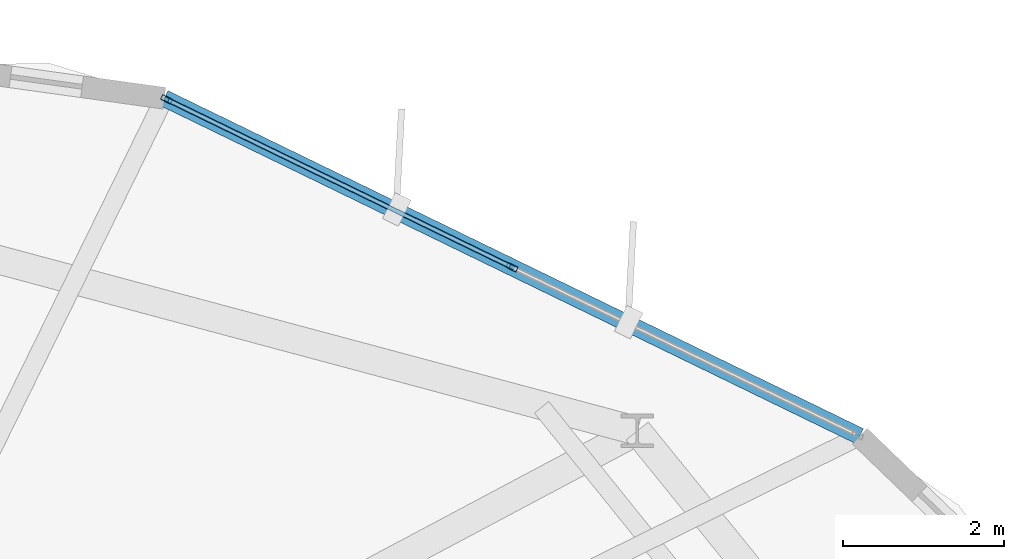
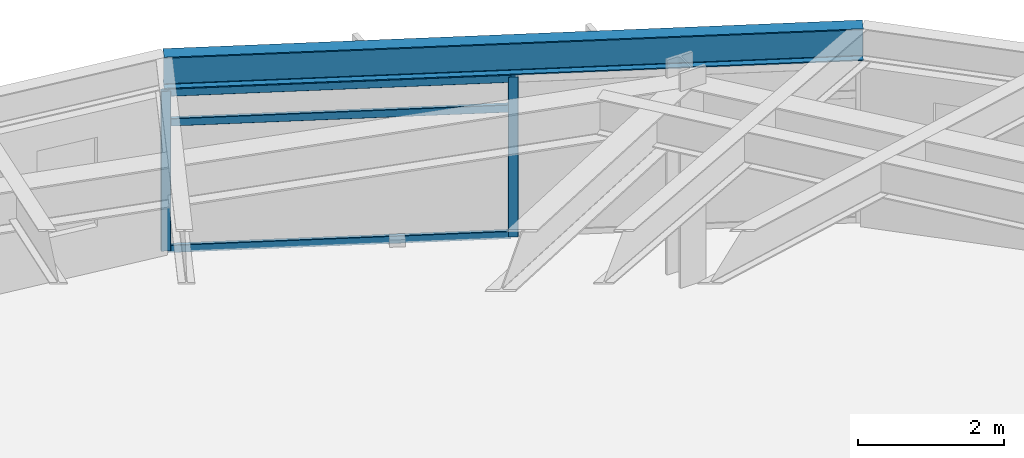
# One storey, part 19 of 28: 5 members, 1 beam, 1 element without a shape of its own.
"""IFC4 building model written with IfcOpenShell, lengths in metres."""

import ifcopenshell
import ifcopenshell.guid

model = None  # the IFC model being written
_history = None  # IfcOwnerHistory: only IFC2X3 demands one
_inside = {}  # id of a spatial element -> (the spatial element, [elements in it])
_under = {}  # id of a project, library or spatial element -> (it, [spatial elements below it])
_declared = {}  # id of a project -> (the project, [libraries it declares])
_typed = {}  # id of a type object -> (the type object, [elements of that type])
_made_of = {}  # id of a material, layer set ... -> (it, [elements and type objects made of it])


def new_model(schema):
    """Start an empty IFC model of exactly this schema.

    Asked for "IFC4X3", IfcOpenShell would pick the latest addendum, in which some entities
    have other attributes; the version numbers below select the first issue.
    IFC2X3 requires an IfcOwnerHistory on every rooted entity: one is made here for all.
    """
    global model, _history
    if schema == "IFC4X3":
        model = ifcopenshell.file(schema_version=(4, 3, 0, 0))
    else:
        model = ifcopenshell.file(schema=schema)
    _inside.clear()
    _under.clear()
    _declared.clear()
    _typed.clear()
    _made_of.clear()
    _history = None
    if model.schema == "IFC2X3":
        org = make("IfcOrganization", Name="unknown")
        user = make(
            "IfcPersonAndOrganization",
            ThePerson=make("IfcPerson", FamilyName="unknown"),
            TheOrganization=org,
        )
        app = make(
            "IfcApplication",
            ApplicationDeveloper=org,
            Version="unknown",
            ApplicationFullName="unknown",
            ApplicationIdentifier="unknown",
        )
        _history = make(
            "IfcOwnerHistory",
            OwningUser=user,
            OwningApplication=app,
            ChangeAction="ADDED",
            CreationDate=0,
        )
    return model


def make(cls, **values):
    """One entity of the class cls with the attributes given. An attribute that is None is left unset."""
    return model.create_entity(
        cls, **{name: value for name, value in values.items() if value is not None}
    )


def rooted(cls, **values):
    """An entity with a GlobalId (a new one), such as an element, a storey or a relation."""
    return make(cls, GlobalId=ifcopenshell.guid.new(), OwnerHistory=_history, **values)


def si_unit(unit_type, name, prefix=None):
    """IfcSIUnit, for example si_unit("LENGTHUNIT", "METRE", prefix="MILLI")."""
    return make("IfcSIUnit", UnitType=unit_type, Prefix=prefix, Name=name)


def assignment(units):
    """IfcUnitAssignment: the units of a project."""
    return None if units is None else make("IfcUnitAssignment", Units=units)


def point(xyz):
    """IfcCartesianPoint."""
    return None if xyz is None else make("IfcCartesianPoint", Coordinates=xyz)


def direction(xyz):
    """IfcDirection."""
    return None if xyz is None else make("IfcDirection", DirectionRatios=xyz)


def frame(location, z_axis=None, x_axis=None):
    """IfcAxis2Placement3D, a coordinate frame: its origin and axes. An axis left out is left unset."""
    return make(
        "IfcAxis2Placement3D",
        Location=point(location),
        Axis=direction(z_axis),
        RefDirection=direction(x_axis),
    )


def frame_2d(location, x_axis=None):
    """IfcAxis2Placement2D, a coordinate frame in the plane: its origin and x axis."""
    return make(
        "IfcAxis2Placement2D", Location=point(location), RefDirection=direction(x_axis)
    )


def origin():
    """The frame at (0, 0, 0) with its axes left unset."""
    return frame((0.0, 0.0, 0.0))


def origin_2d():
    """The frame at (0, 0) in the plane with its x axis left unset."""
    return frame_2d((0.0, 0.0))


def place(relative_to, where):
    """IfcLocalPlacement: puts the frame where relative to a parent placement (None: the world)."""
    return make(
        "IfcLocalPlacement", PlacementRelTo=relative_to, RelativePlacement=where
    )


def context(
    kind, dimensions, precision=None, world=None, true_north=None, identifier=None
):
    """IfcGeometricRepresentationContext, for example the 3D "Model" context."""
    return make(
        "IfcGeometricRepresentationContext",
        ContextIdentifier=identifier,
        ContextType=kind,
        CoordinateSpaceDimension=dimensions,
        Precision=precision,
        WorldCoordinateSystem=world,
        TrueNorth=true_north,
    )


def subcontext(parent, identifier, kind, view, scale=None):
    """IfcGeometricRepresentationSubContext, for example "Body" below "Model"."""
    return make(
        "IfcGeometricRepresentationSubContext",
        ContextIdentifier=identifier,
        ContextType=kind,
        ParentContext=parent,
        TargetScale=scale,
        TargetView=view,
    )


def project(units=None, contexts=None):
    """IfcProject with its units and contexts."""
    return rooted(
        "IfcProject",
        Name="project",
        RepresentationContexts=contexts,
        UnitsInContext=assignment(units),
    )


def spatial(cls, under=None, at=None, **own):
    """A site, building, storey or space (cls), placed at a placement, below another one or the project."""
    s = rooted(cls, ObjectPlacement=at, **own)
    if under is not None:
        _under.setdefault(under.id(), (under, []))[1].append(s)
    return s


def profile(cls, at=None, kind="AREA", **sizes):
    """A parametric profile (cls). Its sizes go by their IFC names, for example OverallWidth=200.0."""
    return make(cls, ProfileType=kind, Position=at, **sizes)


def hollow_rectangle(**sizes):
    """IfcRectangleHollowProfileDef."""
    return profile("IfcRectangleHollowProfileDef", **sizes)


def i_section(**sizes):
    """IfcIShapeProfileDef."""
    return profile("IfcIShapeProfileDef", **sizes)


def extrude(swept, where, along, depth):
    """IfcExtrudedAreaSolid: the profile swept, set in the frame where, extruded along a direction by depth."""
    return make(
        "IfcExtrudedAreaSolid",
        SweptArea=swept,
        Position=where,
        ExtrudedDirection=direction(along),
        Depth=depth,
    )


def shape(context_of_items, identifier, shape_type, items):
    """IfcShapeRepresentation: the items that make up one representation, for example the "Body"."""
    return make(
        "IfcShapeRepresentation",
        ContextOfItems=context_of_items,
        RepresentationIdentifier=identifier,
        RepresentationType=shape_type,
        Items=items,
    )


def material(Name=None, Category=None):
    """IfcMaterial."""
    return make("IfcMaterial", Name=Name, Category=Category)


def layer(
    of_material, thickness, ventilated=None, Name=None, Category=None, Priority=None
):
    """IfcMaterialLayer: one layer of a wall or slab, of a material (None: an air gap)."""
    return make(
        "IfcMaterialLayer",
        Material=of_material,
        LayerThickness=thickness,
        IsVentilated=ventilated,
        Name=Name,
        Category=Category,
        Priority=Priority,
    )


def layer_set(layers, Name=None):
    """IfcMaterialLayerSet."""
    return make("IfcMaterialLayerSet", MaterialLayers=layers, LayerSetName=Name)


def material_profile(
    of_material, cross_section, Name=None, Category=None, Priority=None
):
    """IfcMaterialProfile: a cross section and its material."""
    return make(
        "IfcMaterialProfile",
        Name=Name,
        Material=of_material,
        Profile=cross_section,
        Priority=Priority,
        Category=Category,
    )


def profile_set(profiles, Name=None, composite=None):
    """IfcMaterialProfileSet."""
    return make(
        "IfcMaterialProfileSet",
        Name=Name,
        MaterialProfiles=profiles,
        CompositeProfile=composite,
    )


def made_of(thing, what):
    """Note that an element or type object is made of a material, layer set ...; save() writes the relation."""
    if what is not None:
        _made_of.setdefault(what.id(), (what, []))[1].append(thing)
    return thing


def type_object(cls, material=None, **own):
    """A type object (cls), such as IfcWallType, which elements share."""
    return made_of(rooted(cls, **own), material)


def element(
    cls,
    number,
    at=None,
    inside=None,
    cuts=None,
    type_object=None,
    material=None,
    context=None,
    identifier="Body",
    shape_type=None,
    held_by="IfcProductDefinitionShape",
    body=None,
    shapes=None,
    **own,
):
    """One element of the class cls, such as IfcWall. Its Tag is "e" and its number.

    at: its placement. inside: the storey or other place that contains it. cuts: it is an
    opening in that element (IfcRelVoidsElement). A single representation is given by context,
    identifier, shape_type and body (its items); several are given by shapes. held_by: the class
    of the entity that holds the representations. save() writes the other relations.
    """
    e = rooted(cls, Tag="e%d" % number, ObjectPlacement=at, **own)
    if body is not None:
        shapes = [shape(context, identifier, shape_type, body)]
    if shapes is not None:
        e.Representation = make(held_by, Representations=shapes)
    if inside is not None:
        _inside.setdefault(inside.id(), (inside, []))[1].append(e)
    if cuts is not None:
        rooted(
            "IfcRelVoidsElement", RelatingBuildingElement=cuts, RelatedOpeningElement=e
        )
    if type_object is not None:
        _typed.setdefault(type_object.id(), (type_object, []))[1].append(e)
    return made_of(e, material)


def aggregate(whole, parts):
    """IfcRelAggregates: a whole, such as a stair, and the parts it consists of."""
    return rooted("IfcRelAggregates", RelatingObject=whole, RelatedObjects=parts)


def save(model, path):
    """Write the relations noted so far, then the file.

    IfcRelAggregates (storeys below a building ...), IfcRelContainedInSpatialStructure (elements
    in a storey), IfcRelDefinesByType, IfcRelAssociatesMaterial and IfcRelDeclares: one each for
    every whole, place, type object, material and project.
    """
    for whole, parts in _under.values():
        aggregate(whole, parts)
    for where, things in _inside.values():
        rooted(
            "IfcRelContainedInSpatialStructure",
            RelatedElements=things,
            RelatingStructure=where,
        )
    for kind, things in _typed.values():
        rooted("IfcRelDefinesByType", RelatedObjects=things, RelatingType=kind)
    for what, things in _made_of.values():
        rooted("IfcRelAssociatesMaterial", RelatedObjects=things, RelatingMaterial=what)
    for by, libraries in _declared.values():
        rooted("IfcRelDeclares", RelatingContext=by, RelatedDefinitions=libraries)
    model.write(path)


model = new_model("IFC4")

# Units and contexts
model_context = context("Model", 3, precision=1e-05, world=origin(), true_north=direction((0.0, 1.0)))
body_context = subcontext(model_context, "Body", "Model", "MODEL_VIEW")
ifc_project = project(units=[si_unit("LENGTHUNIT", "METRE"), si_unit("AREAUNIT", "SQUARE_METRE"), si_unit("VOLUMEUNIT", "CUBIC_METRE"), si_unit("PLANEANGLEUNIT", "RADIAN"), si_unit("MASSUNIT", "GRAM", prefix="KILO")], contexts=[model_context])

# Site, building, storey
site_placement = place(None, origin())
site = spatial("IfcSite", under=ifc_project, at=site_placement, CompositionType="ELEMENT")
building_placement = place(site_placement, origin())
building = spatial("IfcBuilding", under=site, at=building_placement, Name="Soratama Intermodal Tower", CompositionType="ELEMENT")
storey_placement = place(building_placement, frame((0.0, 0.0, 205.0)))
storey = spatial("IfcBuildingStorey", under=building, at=storey_placement, Name="L51", CompositionType="ELEMENT", Elevation=205.0)

# Beam
ifc_material_1 = material(Name="Structural steel ASTM A992 Grade 50", Category="steel")
ifc_material_profile_1 = material_profile(ifc_material_1, i_section(OverallWidth=0.2099609375, OverallDepth=0.537109375, WebThickness=0.010986328125, FlangeThickness=0.017333984375, FilletRadius=0.012939453125, at=origin_2d()), Name="W21X68")
ifc_profile_set_1 = profile_set([ifc_material_profile_1], Name="Structural steel ASTM A992 Grade 50")
beam_type = type_object("IfcBeamType", Name="BM-SPN-W21X68", PredefinedType="SPANDREL", material=ifc_profile_set_1)
beam_placement = place(storey_placement, frame((57.89990234375, 40.533935546875, 3.031494140625), z_axis=(-0.899398467669, 0.437129724859, 0.0), x_axis=(-0.437129724859, -0.899398467669, 0.0)))
element("IfcBeam", 1, at=beam_placement, inside=storey, type_object=beam_type, Name="BS-L51-F01", PredefinedType="SPANDREL", context=body_context, shape_type="SweptSolid", body=[
    extrude(i_section(OverallWidth=0.2099609375, OverallDepth=0.537109375, WebThickness=0.010986328125, FlangeThickness=0.017333984375, FilletRadius=0.012939453125, at=origin_2d()), origin(), (0.0, 0.0, 1.0), 9.624267578125),
])

# Curtain wall, members
ifc_material_2 = material(Name="Double-glazed aluminium curtain wall", Category="aluminium")
ifc_layer = layer(ifc_material_2, 0.159912109375)
ifc_layer_set = layer_set([ifc_layer], Name="Double-glazed aluminium curtain wall")
curtain_wall_type = type_object("IfcCurtainWallType", Name="CW-SYS-5", PredefinedType="NOTDEFINED", material=ifc_layer_set)
curtain_wall_placement = place(storey_placement, origin())
curtain_wall = element("IfcCurtainWall", 2, at=curtain_wall_placement, inside=storey, type_object=curtain_wall_type, Name="L51 Faceted Curtain Wall F01", PredefinedType="NOTDEFINED")
ifc_material_3 = material(Name="Anodised aluminium AA 6063-T6", Category="aluminium")
ifc_material_profile_2 = material_profile(ifc_material_3, hollow_rectangle(XDim=0.06494140625, YDim=0.139892578125, WallThickness=0.0048828125, InnerFilletRadius=0.0048828125, OuterFilletRadius=0.010009765625, at=origin_2d()), Name="CWM140X65X5")
ifc_profile_set_2 = profile_set([ifc_material_profile_2], Name="Anodised aluminium AA 6063-T6")
member_type_1 = type_object("IfcMemberType", Name="MT-CWM-5", PredefinedType="MULLION", material=ifc_profile_set_2)
member_1_placement = place(storey_placement, frame((53.57177734375, 42.63720703125, 0.0), z_axis=(0.0, 0.0, 1.0), x_axis=(-0.437110527293, -0.899407797904, 0.0)))
member_1 = element("IfcMember", 3, at=member_1_placement, type_object=member_type_1, Name="CW-5 mullion 2", PredefinedType="MULLION", context=body_context, shape_type="SweptSolid", body=[
    extrude(hollow_rectangle(XDim=0.06494140625, YDim=0.139892578125, WallThickness=0.0048828125, InnerFilletRadius=0.0048828125, OuterFilletRadius=0.010009765625, at=origin_2d()), origin(), (0.0, 0.0, 1.0), 2.678955078125),
])
member_2_placement = place(storey_placement, frame((49.270751953125, 44.7275390625, 0.0), z_axis=(0.0, 0.0, 1.0), x_axis=(-0.437110527293, -0.899407797904, 0.0)))
member_2 = element("IfcMember", 4, at=member_2_placement, type_object=member_type_1, Name="CW-5 mullion 3", PredefinedType="MULLION", context=body_context, shape_type="SweptSolid", body=[
    extrude(hollow_rectangle(XDim=0.06494140625, YDim=0.139892578125, WallThickness=0.0048828125, InnerFilletRadius=0.0048828125, OuterFilletRadius=0.010009765625, at=origin_2d()), origin(), (0.0, 0.0, 1.0), 2.678955078125),
])
ifc_material_4 = material(Name="Anodised aluminium AA 6063-T6", Category="aluminium")
ifc_material_profile_3 = material_profile(ifc_material_4, hollow_rectangle(XDim=0.06005859375, YDim=0.1298828125, WallThickness=0.0048828125, InnerFilletRadius=0.0048828125, OuterFilletRadius=0.010009765625, at=origin_2d()), Name="CWT130X60X5")
ifc_profile_set_3 = profile_set([ifc_material_profile_3], Name="Anodised aluminium AA 6063-T6")
member_type_2 = type_object("IfcMemberType", Name="TT-CWT-2", PredefinedType="USERDEFINED", material=ifc_profile_set_3)
member_3_placement = place(storey_placement, frame((53.544921875, 42.650390625, 0.030029296875), z_axis=(-0.899416412945, 0.437092800359, 0.0), x_axis=(-0.437092800359, -0.899416412945, 0.0)))
member_3 = element("IfcMember", 5, at=member_3_placement, type_object=member_type_2, Name="CW-5 transom 2.1", ObjectType="TRANSOM", PredefinedType="USERDEFINED", context=body_context, shape_type="SweptSolid", body=[
    extrude(hollow_rectangle(XDim=0.06005859375, YDim=0.1298828125, WallThickness=0.0048828125, InnerFilletRadius=0.0048828125, OuterFilletRadius=0.010009765625, at=origin_2d()), origin(), (0.0, 0.0, 1.0), 4.721923828125),
])
member_4_placement = place(storey_placement, frame((53.544921875, 42.650390625, 2.14990234375), z_axis=(-0.899416412945, 0.437092800359, 0.0), x_axis=(-0.437092800359, -0.899416412945, 0.0)))
member_4 = element("IfcMember", 6, at=member_4_placement, type_object=member_type_2, Name="CW-5 transom 2.2", ObjectType="TRANSOM", PredefinedType="USERDEFINED", context=body_context, shape_type="SweptSolid", body=[
    extrude(hollow_rectangle(XDim=0.06005859375, YDim=0.1298828125, WallThickness=0.0048828125, InnerFilletRadius=0.0048828125, OuterFilletRadius=0.010009765625, at=origin_2d()), origin(), (0.0, 0.0, 1.0), 4.721923828125),
])
member_5_placement = place(storey_placement, frame((53.544921875, 42.650390625, 2.64892578125), z_axis=(-0.899416412945, 0.437092800359, 0.0), x_axis=(-0.437092800359, -0.899416412945, 0.0)))
member_5 = element("IfcMember", 7, at=member_5_placement, type_object=member_type_2, Name="CW-5 transom 2.3", ObjectType="TRANSOM", PredefinedType="USERDEFINED", context=body_context, shape_type="SweptSolid", body=[
    extrude(hollow_rectangle(XDim=0.06005859375, YDim=0.1298828125, WallThickness=0.0048828125, InnerFilletRadius=0.0048828125, OuterFilletRadius=0.010009765625, at=origin_2d()), origin(), (0.0, 0.0, 1.0), 4.721923828125),
])
aggregate(curtain_wall, [member_1, member_2, member_3, member_4, member_5])

save(model, "model.ifc")
